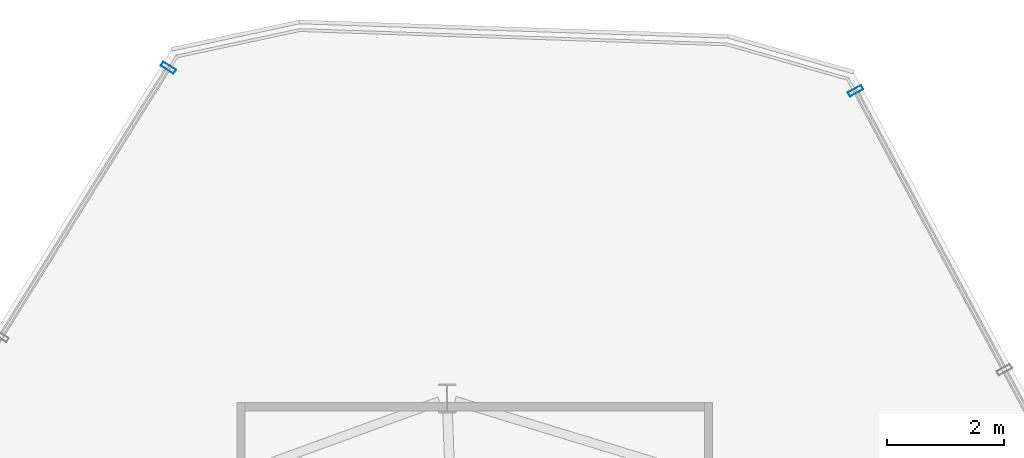
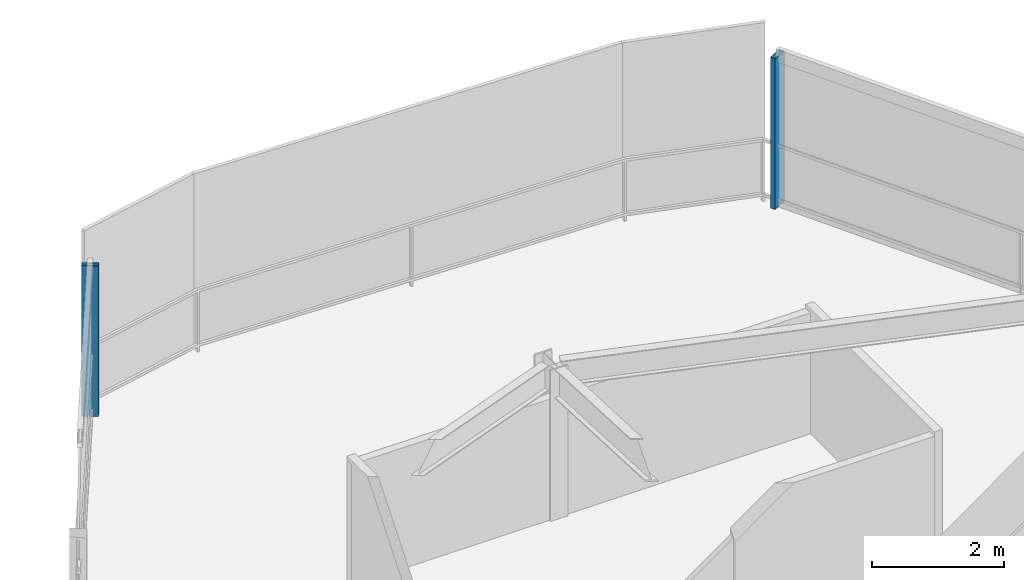
# One storey, part 12 of 16: 2 members, 2 elements without a shape of their own.
"""IFC4 building model written with IfcOpenShell, lengths in metres."""

from ifc_helpers import new_model, si_unit, direction, frame, origin, origin_2d, place, context, subcontext, project, spatial, hollow_rectangle, extrude, material, layer, layer_set, material_profile, profile_set, type_object, element, aggregate, save


model = new_model("IFC4")

# Units and contexts
model_context = context("Model", 3, precision=1e-05, world=origin(), true_north=direction((0.0, 1.0)))
body_context = subcontext(model_context, "Body", "Model", "MODEL_VIEW")
ifc_project = project(units=[si_unit("LENGTHUNIT", "METRE"), si_unit("AREAUNIT", "SQUARE_METRE"), si_unit("VOLUMEUNIT", "CUBIC_METRE"), si_unit("PLANEANGLEUNIT", "RADIAN"), si_unit("MASSUNIT", "GRAM", prefix="KILO")], contexts=[model_context])

# Site, building, storey
site_placement = place(None, origin())
site = spatial("IfcSite", under=ifc_project, at=site_placement, CompositionType="ELEMENT")
building_placement = place(site_placement, origin())
building = spatial("IfcBuilding", under=site, at=building_placement, Name="Qarnah Convention Tower", CompositionType="ELEMENT")
storey_placement = place(building_placement, frame((0.0, 0.0, 286.699951171875)))
storey = spatial("IfcBuildingStorey", under=building, at=storey_placement, Name="L77", CompositionType="ELEMENT", Elevation=286.699951171875)

# Curtain wall, member
ifc_material_1 = material(Name="Tempered Low-E dark glass", Category="glass")
ifc_layer = layer(ifc_material_1, 0.177978515625)
ifc_layer_set = layer_set([ifc_layer], Name="Tempered Low-E dark glass")
curtain_wall_type = type_object("IfcCurtainWallType", Name="CWS-06", PredefinedType="NOTDEFINED", material=ifc_layer_set)
curtain_wall_1_placement = place(storey_placement, origin())
curtain_wall_1 = element("IfcCurtainWall", 1, at=curtain_wall_1_placement, inside=storey, type_object=curtain_wall_type, Name="L77 unitised curtain wall CW-L77-F1", PredefinedType="NOTDEFINED")
ifc_material_2 = material(Name="Black anodised aluminium", Category="aluminium")
ifc_material_profile = material_profile(ifc_material_2, hollow_rectangle(XDim=0.0849609375, YDim=0.260009765625, WallThickness=0.006103515625, at=origin_2d()), Name="MUL-85X260")
ifc_profile_set = profile_set([ifc_material_profile], Name="Black anodised aluminium")
member_type = type_object("IfcMemberType", Name="MUL-T6", PredefinedType="MULLION", material=ifc_profile_set)
member_1_placement = place(storey_placement, frame((43.715087890625, 45.205078125, 0.0), z_axis=(0.0, 0.0, 1.0), x_axis=(0.470716790186, -0.882284366538, 0.0)))
member_1 = element("IfcMember", 2, at=member_1_placement, type_object=member_type, Name="CW-L77-F1 mullion 1", PredefinedType="MULLION", context=body_context, shape_type="SweptSolid", body=[
    extrude(hollow_rectangle(XDim=0.0849609375, YDim=0.260009765625, WallThickness=0.006103515625, at=origin_2d()), origin(), (0.0, 0.0, 1.0), 2.780029296875),
])
aggregate(curtain_wall_1, [member_1])

curtain_wall_2_placement = place(storey_placement, origin())
curtain_wall_2 = element("IfcCurtainWall", 3, at=curtain_wall_2_placement, inside=storey, type_object=curtain_wall_type, Name="L77 unitised curtain wall CW-L77-F3", PredefinedType="NOTDEFINED")
member_2_placement = place(storey_placement, frame((31.9580078125, 45.59912109375, 0.0), z_axis=(0.0, 0.0, 1.0), x_axis=(0.528738901195, 0.848784527641, 0.0)))
member_2 = element("IfcMember", 4, at=member_2_placement, type_object=member_type, Name="CW-L77-F3 mullion 6", PredefinedType="MULLION", context=body_context, shape_type="SweptSolid", body=[
    extrude(hollow_rectangle(XDim=0.0849609375, YDim=0.260009765625, WallThickness=0.006103515625, at=origin_2d()), origin(), (0.0, 0.0, 1.0), 2.780029296875),
])
aggregate(curtain_wall_2, [member_2])

save(model, "model.ifc")
